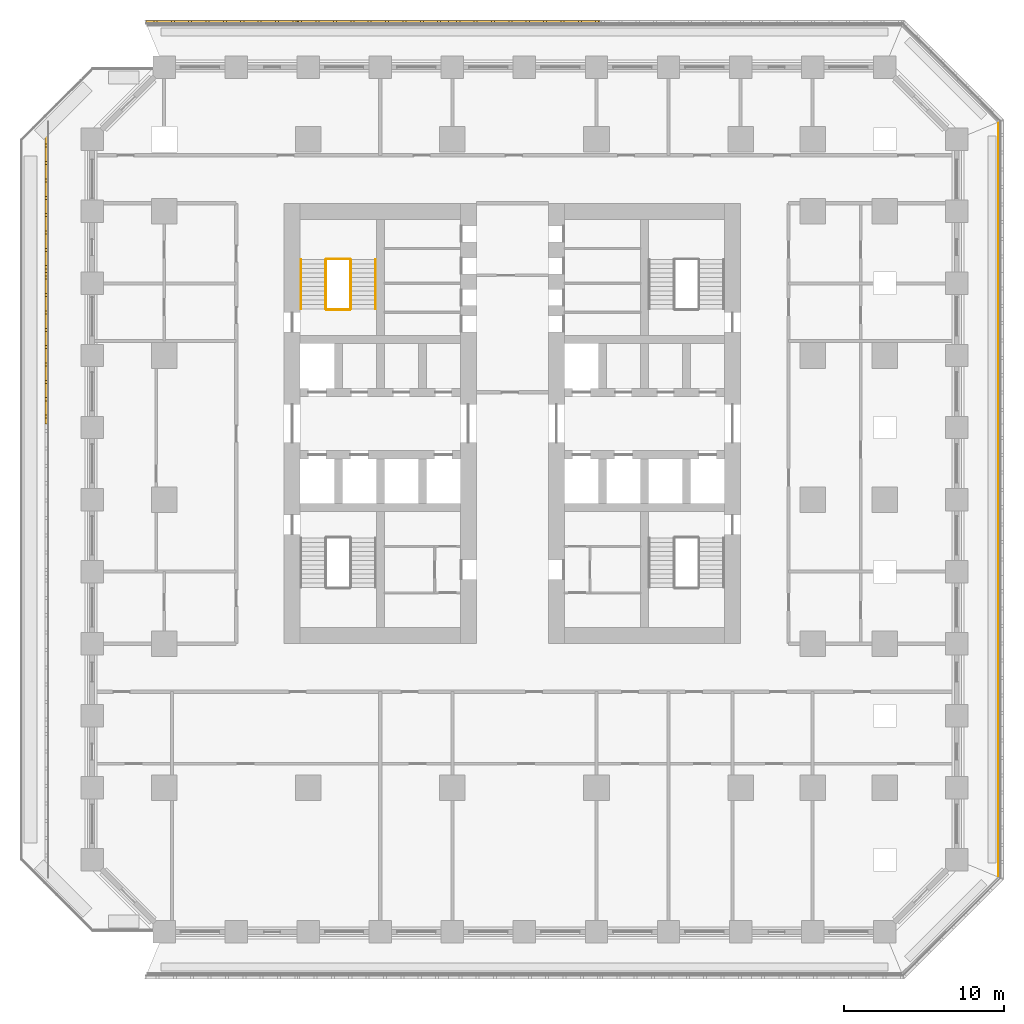
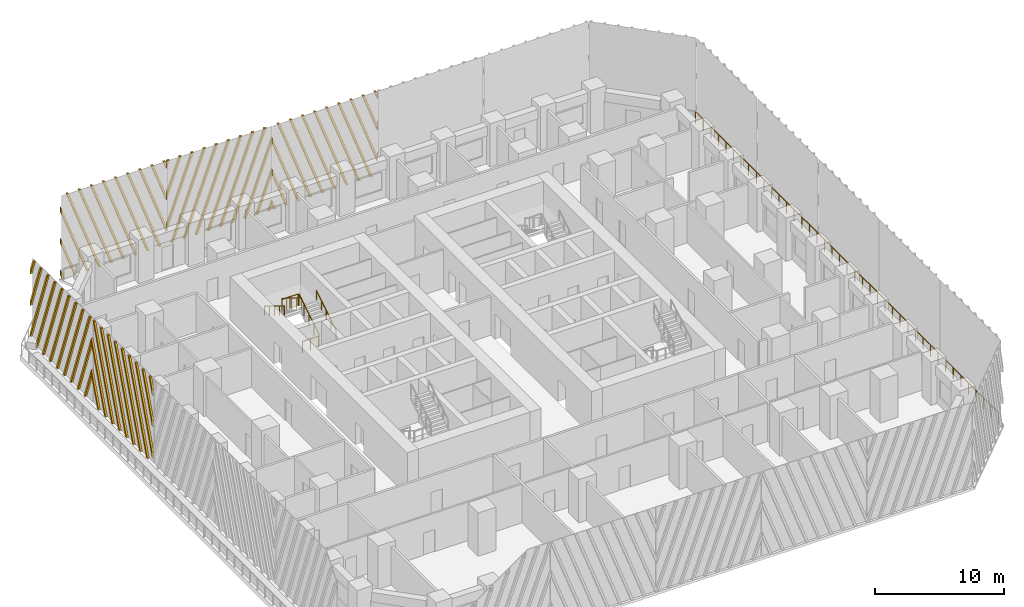
# One storey, part 12 of 15: 7 railings, 5 shading devices.
"""IFC4 building model written with IfcOpenShell, lengths in metres."""

from ifc_helpers import new_model, si_unit, direction, frame, origin, origin_2d, place, context, subcontext, project, spatial, polyline, circle, outline, extrude, source, transform, mapped, material, type_object, element, save


model = new_model("IFC4")

# Units and contexts
model_context = context("Model", 3, precision=1e-05, world=origin(), true_north=direction((0.0, 1.0)))
body_context = subcontext(model_context, "Body", "Model", "MODEL_VIEW")
ifc_project = project(units=[si_unit("LENGTHUNIT", "METRE"), si_unit("AREAUNIT", "SQUARE_METRE"), si_unit("VOLUMEUNIT", "CUBIC_METRE"), si_unit("PLANEANGLEUNIT", "RADIAN"), si_unit("MASSUNIT", "GRAM", prefix="KILO")], contexts=[model_context])

# Site, building, storey
site_placement = place(None, origin())
site = spatial("IfcSite", under=ifc_project, at=site_placement, CompositionType="ELEMENT")
building_placement = place(site_placement, origin())
building = spatial("IfcBuilding", under=site, at=building_placement, Name="Corbel Stack Research Tower", CompositionType="ELEMENT")
storey_placement = place(building_placement, frame((0.0, 0.0, 41.89990234375)))
storey = spatial("IfcBuildingStorey", under=building, at=storey_placement, Name="L09", CompositionType="ELEMENT", Elevation=41.89990234375)

# Railings
ifc_material_1 = material(Name="Steel S355", Category="steel")
railing_type_1 = type_object("IfcRailingType", Name="Stair guard 1100", PredefinedType="GUARDRAIL", material=ifc_material_1)
railing_1_placement = place(storey_placement, frame((-6.35009765625, 11.89990234375, 0.1708984375)))
element("IfcRailing", 1, at=railing_1_placement, inside=storey, type_object=railing_type_1, Name="L09 ST-W2 stair guard 1", PredefinedType="GUARDRAIL", context=body_context, shape_type="SweptSolid", body=[
    extrude(circle(Radius=0.02392578125, at=origin_2d()), frame((0.0, 0.0, 1.076171875), z_axis=(0.0, 0.853666305674, 0.52082035152), x_axis=(-1.0, 0.0, 0.0)), (0.0, 0.0, 1.0), 3.608154296875),
    extrude(circle(Radius=0.02099609375, at=origin_2d()), origin(), (0.0, 0.0, 1.0), 1.052001953125),
    extrude(circle(Radius=0.02099609375, at=origin_2d()), frame((0.0, 0.77001953125, 0.4697265625)), (0.0, 0.0, 1.0), 1.052001953125),
    extrude(circle(Radius=0.02099609375, at=origin_2d()), frame((0.0, 1.5400390625, 0.939453125)), (0.0, 0.0, 1.0), 1.052001953125),
    extrude(circle(Radius=0.02099609375, at=origin_2d()), frame((0.0, 2.31005859375, 1.409423828125)), (0.0, 0.0, 1.0), 1.052001953125),
    extrude(circle(Radius=0.02099609375, at=origin_2d()), frame((0.0, 3.080078125, 1.879150390625)), (0.0, 0.0, 1.0), 1.052001953125),
])
railing_2_placement = place(storey_placement, frame((-6.39990234375, 15.030029296875, 2.050048828125)))
element("IfcRailing", 2, at=railing_2_placement, inside=storey, type_object=railing_type_1, Name="L09 ST-W2 stair guard 2", PredefinedType="GUARDRAIL", context=body_context, shape_type="SweptSolid", body=[
    extrude(circle(Radius=0.02392578125, at=origin_2d()), frame((0.0, 0.0, 1.076171875), z_axis=(-1.0, 0.0, 0.0), x_axis=(0.0, -1.0, 0.0)), (0.0, 0.0, 1.0), 1.4501953125),
    extrude(circle(Radius=0.02099609375, at=origin_2d()), origin(), (0.0, 0.0, 1.0), 1.052001953125),
    extrude(circle(Radius=0.02099609375, at=origin_2d()), frame((-0.72509765625, 0.0, 0.0)), (0.0, 0.0, 1.0), 1.052001953125),
    extrude(circle(Radius=0.02099609375, at=origin_2d()), frame((-1.4501953125, 0.0, 0.0)), (0.0, 0.0, 1.0), 1.052001953125),
])
railing_3_placement = place(storey_placement, frame((-7.89990234375, 14.97998046875, 2.220947265625)))
element("IfcRailing", 3, at=railing_3_placement, inside=storey, type_object=railing_type_1, Name="L09 ST-W2 stair guard 3", PredefinedType="GUARDRAIL", context=body_context, shape_type="SweptSolid", body=[
    extrude(circle(Radius=0.02392578125, at=origin_2d()), frame((0.0, 0.0, 1.076171875), z_axis=(0.0, -0.853666305674, 0.52082035152), x_axis=(1.0, 0.0, 0.0)), (0.0, 0.0, 1.0), 3.608154296875),
    extrude(circle(Radius=0.02099609375, at=origin_2d()), origin(), (0.0, 0.0, 1.0), 1.052001953125),
    extrude(circle(Radius=0.02099609375, at=origin_2d()), frame((0.0, -0.77001953125, 0.4697265625)), (0.0, 0.0, 1.0), 1.052001953125),
    extrude(circle(Radius=0.02099609375, at=origin_2d()), frame((0.0, -1.5400390625, 0.939453125)), (0.0, 0.0, 1.0), 1.052001953125),
    extrude(circle(Radius=0.02099609375, at=origin_2d()), frame((0.0, -2.31005859375, 1.409423828125)), (0.0, 0.0, 1.0), 1.052001953125),
    extrude(circle(Radius=0.02099609375, at=origin_2d()), frame((0.0, -3.080078125, 1.879150390625)), (0.0, 0.0, 1.0), 1.052001953125),
])
railing_4_placement = place(storey_placement, frame((-6.39990234375, 11.85009765625, 0.0)))
element("IfcRailing", 4, at=railing_4_placement, inside=storey, type_object=railing_type_1, Name="L09 ST-W2 stair guard 4", PredefinedType="GUARDRAIL", context=body_context, shape_type="SweptSolid", body=[
    extrude(circle(Radius=0.02392578125, at=origin_2d()), frame((0.0, 0.0, 1.076171875), z_axis=(-1.0, 0.0, 0.0), x_axis=(0.0, -1.0, 0.0)), (0.0, 0.0, 1.0), 1.4501953125),
    extrude(circle(Radius=0.02099609375, at=origin_2d()), origin(), (0.0, 0.0, 1.0), 1.052001953125),
    extrude(circle(Radius=0.02099609375, at=origin_2d()), frame((-0.72509765625, 0.0, 0.0)), (0.0, 0.0, 1.0), 1.052001953125),
    extrude(circle(Radius=0.02099609375, at=origin_2d()), frame((-1.4501953125, 0.0, 0.0)), (0.0, 0.0, 1.0), 1.052001953125),
])
ifc_material_2 = material(Name="Steel S355", Category="steel")
railing_type_2 = type_object("IfcRailingType", Name="Stair handrail 900", PredefinedType="HANDRAIL", material=ifc_material_2)
railing_5_placement = place(storey_placement, frame((-4.800048828125, 11.89990234375, 0.1708984375)))
element("IfcRailing", 5, at=railing_5_placement, inside=storey, type_object=railing_type_2, Name="L09 ST-W2 stair handrail 1", PredefinedType="HANDRAIL", context=body_context, shape_type="SweptSolid", body=[
    extrude(circle(Radius=0.02392578125, at=origin_2d()), frame((0.0, 0.0, 0.8759765625), z_axis=(0.0, 0.853666305674, 0.52082035152), x_axis=(-1.0, 0.0, 0.0)), (0.0, 0.0, 1.0), 3.608154296875),
    extrude(circle(Radius=0.02099609375, at=origin_2d()), origin(), (0.0, 0.0, 1.0), 0.851806640625),
    extrude(circle(Radius=0.02099609375, at=origin_2d()), frame((0.0, 0.77001953125, 0.4697265625)), (0.0, 0.0, 1.0), 0.851806640625),
    extrude(circle(Radius=0.02099609375, at=origin_2d()), frame((0.0, 1.5400390625, 0.939453125)), (0.0, 0.0, 1.0), 0.851806640625),
    extrude(circle(Radius=0.02099609375, at=origin_2d()), frame((0.0, 2.31005859375, 1.409423828125)), (0.0, 0.0, 1.0), 0.851806640625),
    extrude(circle(Radius=0.02099609375, at=origin_2d()), frame((0.0, 3.080078125, 1.879150390625)), (0.0, 0.0, 1.0), 0.851806640625),
])
railing_6_placement = place(storey_placement, frame((-9.449951171875, 14.97998046875, 2.220947265625)))
element("IfcRailing", 6, at=railing_6_placement, inside=storey, type_object=railing_type_2, Name="L09 ST-W2 stair handrail 2", PredefinedType="HANDRAIL", context=body_context, shape_type="SweptSolid", body=[
    extrude(circle(Radius=0.02392578125, at=origin_2d()), frame((0.0, 0.0, 0.8759765625), z_axis=(0.0, -0.853666305674, 0.52082035152), x_axis=(1.0, 0.0, 0.0)), (0.0, 0.0, 1.0), 3.608154296875),
    extrude(circle(Radius=0.02099609375, at=origin_2d()), origin(), (0.0, 0.0, 1.0), 0.851806640625),
    extrude(circle(Radius=0.02099609375, at=origin_2d()), frame((0.0, -0.77001953125, 0.4697265625)), (0.0, 0.0, 1.0), 0.851806640625),
    extrude(circle(Radius=0.02099609375, at=origin_2d()), frame((0.0, -1.5400390625, 0.939453125)), (0.0, 0.0, 1.0), 0.851806640625),
    extrude(circle(Radius=0.02099609375, at=origin_2d()), frame((0.0, -2.31005859375, 1.409423828125)), (0.0, 0.0, 1.0), 0.851806640625),
    extrude(circle(Radius=0.02099609375, at=origin_2d()), frame((0.0, -3.080078125, 1.879150390625)), (0.0, 0.0, 1.0), 0.851806640625),
])
ifc_material_3 = material(Name="Powder-coated steel guard", Category="steel")
railing_type_3 = type_object("IfcRailingType", Name="Steel and glass guard 1100", PredefinedType="GUARDRAIL", material=ifc_material_3)
railing_7_placement = place(storey_placement, frame((34.10009765625, -23.50537109375, 0.0)))
element("IfcRailing", 7, at=railing_7_placement, inside=storey, type_object=railing_type_3, Name="Loggia guard L09 E", PredefinedType="GUARDRAIL", context=body_context, shape_type="SweptSolid", body=[
    extrude(circle(Radius=0.02392578125, at=origin_2d()), frame((0.0, 0.0, 1.076171875), z_axis=(0.0, 1.0, 0.0), x_axis=(-1.0, 0.0, 0.0)), (0.0, 0.0, 1.0), 47.0107421875),
    extrude(circle(Radius=0.02099609375, at=origin_2d()), origin(), (0.0, 0.0, 1.0), 1.052001953125),
    extrude(circle(Radius=0.02099609375, at=origin_2d()), frame((0.0, 1.17529296875, 0.0)), (0.0, 0.0, 1.0), 1.052001953125),
    extrude(circle(Radius=0.02099609375, at=origin_2d()), frame((0.0, 2.3505859375, 0.0)), (0.0, 0.0, 1.0), 1.052001953125),
    extrude(circle(Radius=0.02099609375, at=origin_2d()), frame((0.0, 3.52587890625, 0.0)), (0.0, 0.0, 1.0), 1.052001953125),
    extrude(circle(Radius=0.02099609375, at=origin_2d()), frame((0.0, 4.701171875, 0.0)), (0.0, 0.0, 1.0), 1.052001953125),
    extrude(circle(Radius=0.02099609375, at=origin_2d()), frame((0.0, 5.87646484375, 0.0)), (0.0, 0.0, 1.0), 1.052001953125),
    extrude(circle(Radius=0.02099609375, at=origin_2d()), frame((0.0, 7.051513671875, 0.0)), (0.0, 0.0, 1.0), 1.052001953125),
    extrude(circle(Radius=0.02099609375, at=origin_2d()), frame((0.0, 8.226806640625, 0.0)), (0.0, 0.0, 1.0), 1.052001953125),
    extrude(circle(Radius=0.02099609375, at=origin_2d()), frame((0.0, 9.402099609375, 0.0)), (0.0, 0.0, 1.0), 1.052001953125),
    extrude(circle(Radius=0.02099609375, at=origin_2d()), frame((0.0, 10.577392578125, 0.0)), (0.0, 0.0, 1.0), 1.052001953125),
    extrude(circle(Radius=0.02099609375, at=origin_2d()), frame((0.0, 11.752685546875, 0.0)), (0.0, 0.0, 1.0), 1.052001953125),
    extrude(circle(Radius=0.02099609375, at=origin_2d()), frame((0.0, 12.927978515625, 0.0)), (0.0, 0.0, 1.0), 1.052001953125),
    extrude(circle(Radius=0.02099609375, at=origin_2d()), frame((0.0, 14.103271484375, 0.0)), (0.0, 0.0, 1.0), 1.052001953125),
    extrude(circle(Radius=0.02099609375, at=origin_2d()), frame((0.0, 15.278564453125, 0.0)), (0.0, 0.0, 1.0), 1.052001953125),
    extrude(circle(Radius=0.02099609375, at=origin_2d()), frame((0.0, 16.453857421875, 0.0)), (0.0, 0.0, 1.0), 1.052001953125),
    extrude(circle(Radius=0.02099609375, at=origin_2d()), frame((0.0, 17.62890625, 0.0)), (0.0, 0.0, 1.0), 1.052001953125),
    extrude(circle(Radius=0.02099609375, at=origin_2d()), frame((0.0, 18.80419921875, 0.0)), (0.0, 0.0, 1.0), 1.052001953125),
    extrude(circle(Radius=0.02099609375, at=origin_2d()), frame((0.0, 19.9794921875, 0.0)), (0.0, 0.0, 1.0), 1.052001953125),
    extrude(circle(Radius=0.02099609375, at=origin_2d()), frame((0.0, 21.15478515625, 0.0)), (0.0, 0.0, 1.0), 1.052001953125),
    extrude(circle(Radius=0.02099609375, at=origin_2d()), frame((0.0, 22.330078125, 0.0)), (0.0, 0.0, 1.0), 1.052001953125),
    extrude(circle(Radius=0.02099609375, at=origin_2d()), frame((0.0, 23.50537109375, 0.0)), (0.0, 0.0, 1.0), 1.052001953125),
    extrude(circle(Radius=0.02099609375, at=origin_2d()), frame((0.0, 24.6806640625, 0.0)), (0.0, 0.0, 1.0), 1.052001953125),
    extrude(circle(Radius=0.02099609375, at=origin_2d()), frame((0.0, 25.85595703125, 0.0)), (0.0, 0.0, 1.0), 1.052001953125),
    extrude(circle(Radius=0.02099609375, at=origin_2d()), frame((0.0, 27.03125, 0.0)), (0.0, 0.0, 1.0), 1.052001953125),
    extrude(circle(Radius=0.02099609375, at=origin_2d()), frame((0.0, 28.20654296875, 0.0)), (0.0, 0.0, 1.0), 1.052001953125),
    extrude(circle(Radius=0.02099609375, at=origin_2d()), frame((0.0, 29.3818359375, 0.0)), (0.0, 0.0, 1.0), 1.052001953125),
    extrude(circle(Radius=0.02099609375, at=origin_2d()), frame((0.0, 30.556884765625, 0.0)), (0.0, 0.0, 1.0), 1.052001953125),
    extrude(circle(Radius=0.02099609375, at=origin_2d()), frame((0.0, 31.732177734375, 0.0)), (0.0, 0.0, 1.0), 1.052001953125),
    extrude(circle(Radius=0.02099609375, at=origin_2d()), frame((0.0, 32.907470703125, 0.0)), (0.0, 0.0, 1.0), 1.052001953125),
    extrude(circle(Radius=0.02099609375, at=origin_2d()), frame((0.0, 34.082763671875, 0.0)), (0.0, 0.0, 1.0), 1.052001953125),
    extrude(circle(Radius=0.02099609375, at=origin_2d()), frame((0.0, 35.258056640625, 0.0)), (0.0, 0.0, 1.0), 1.052001953125),
    extrude(circle(Radius=0.02099609375, at=origin_2d()), frame((0.0, 36.433349609375, 0.0)), (0.0, 0.0, 1.0), 1.052001953125),
    extrude(circle(Radius=0.02099609375, at=origin_2d()), frame((0.0, 37.608642578125, 0.0)), (0.0, 0.0, 1.0), 1.052001953125),
    extrude(circle(Radius=0.02099609375, at=origin_2d()), frame((0.0, 38.783935546875, 0.0)), (0.0, 0.0, 1.0), 1.052001953125),
    extrude(circle(Radius=0.02099609375, at=origin_2d()), frame((0.0, 39.959228515625, 0.0)), (0.0, 0.0, 1.0), 1.052001953125),
    extrude(circle(Radius=0.02099609375, at=origin_2d()), frame((0.0, 41.13427734375, 0.0)), (0.0, 0.0, 1.0), 1.052001953125),
    extrude(circle(Radius=0.02099609375, at=origin_2d()), frame((0.0, 42.3095703125, 0.0)), (0.0, 0.0, 1.0), 1.052001953125),
    extrude(circle(Radius=0.02099609375, at=origin_2d()), frame((0.0, 43.48486328125, 0.0)), (0.0, 0.0, 1.0), 1.052001953125),
    extrude(circle(Radius=0.02099609375, at=origin_2d()), frame((0.0, 44.66015625, 0.0)), (0.0, 0.0, 1.0), 1.052001953125),
    extrude(circle(Radius=0.02099609375, at=origin_2d()), frame((0.0, 45.83544921875, 0.0)), (0.0, 0.0, 1.0), 1.052001953125),
    extrude(circle(Radius=0.02099609375, at=origin_2d()), frame((0.0, 47.0107421875, 0.0)), (0.0, 0.0, 1.0), 1.052001953125),
])

# Shading devices
ifc_material_4 = material(Name="Precast terracotta", Category="masonry")
shading_device_type = type_object("IfcShadingDeviceType", Name="Terracotta screen panel", PredefinedType="USERDEFINED", material=ifc_material_4)
shared_shape_1 = source(origin(), body_context, "Body", "SweptSolid", [
    extrude(outline(polyline([(0.27685546875, 7.949951171875), (0.0869140625, 7.949951171875), (0.0, 7.711181640625), (0.0, 7.189208984375), (0.27685546875, 7.949951171875)])), frame((0.0, 0.0, 0.0), z_axis=(0.0, -1.0, 0.0), x_axis=(1.0, 0.0, 0.0)), (0.0, 0.0, 1.0), 0.179931640625),
    extrude(outline(polyline([(1.361572265625, 7.949951171875), (1.171630859375, 7.949951171875), (0.0, 4.731201171875), (0.0, 4.208984375), (1.361572265625, 7.949951171875)])), frame((0.0, 0.0, 0.0), z_axis=(0.0, -1.0, 0.0), x_axis=(1.0, 0.0, 0.0)), (0.0, 0.0, 1.0), 0.179931640625),
    extrude(outline(polyline([(2.4462890625, 7.949951171875), (2.256103515625, 7.949951171875), (0.0, 1.751220703125), (0.0, 1.22900390625), (2.4462890625, 7.949951171875)])), frame((0.0, 0.0, 0.0), z_axis=(0.0, -1.0, 0.0), x_axis=(1.0, 0.0, 0.0)), (0.0, 0.0, 1.0), 0.179931640625),
    extrude(outline(polyline([(0.63720703125, 0.0), (3.531005859375, 7.949951171875), (3.3408203125, 7.949951171875), (0.447265625, 0.0), (0.63720703125, 0.0)])), frame((0.0, 0.0, 0.0), z_axis=(0.0, -1.0, 0.0), x_axis=(1.0, 0.0, 0.0)), (0.0, 0.0, 1.0), 0.179931640625),
    extrude(outline(polyline([(1.721923828125, 0.0), (4.615478515625, 7.949951171875), (4.425537109375, 7.949951171875), (1.531982421875, 0.0), (1.721923828125, 0.0)])), frame((0.0, 0.0, 0.0), z_axis=(0.0, -1.0, 0.0), x_axis=(1.0, 0.0, 0.0)), (0.0, 0.0, 1.0), 0.179931640625),
    extrude(outline(polyline([(2.806640625, 0.0), (5.7001953125, 7.949951171875), (5.51025390625, 7.949951171875), (2.61669921875, 0.0), (2.806640625, 0.0)])), frame((0.0, 0.0, 0.0), z_axis=(0.0, -1.0, 0.0), x_axis=(1.0, 0.0, 0.0)), (0.0, 0.0, 1.0), 0.179931640625),
    extrude(outline(polyline([(3.891357421875, 0.0), (6.784912109375, 7.949951171875), (6.594970703125, 7.949951171875), (3.701416015625, 0.0), (3.891357421875, 0.0)])), frame((0.0, 0.0, 0.0), z_axis=(0.0, -1.0, 0.0), x_axis=(1.0, 0.0, 0.0)), (0.0, 0.0, 1.0), 0.179931640625),
    extrude(outline(polyline([(4.97607421875, 0.0), (7.86962890625, 7.949951171875), (7.6796875, 7.949951171875), (4.785888671875, 0.0), (4.97607421875, 0.0)])), frame((0.0, 0.0, 0.0), z_axis=(0.0, -1.0, 0.0), x_axis=(1.0, 0.0, 0.0)), (0.0, 0.0, 1.0), 0.179931640625),
    extrude(outline(polyline([(6.060791015625, 0.0), (8.9541015625, 7.949951171875), (8.76416015625, 7.949951171875), (5.87060546875, 0.0), (6.060791015625, 0.0)])), frame((0.0, 0.0, 0.0), z_axis=(0.0, -1.0, 0.0), x_axis=(1.0, 0.0, 0.0)), (0.0, 0.0, 1.0), 0.179931640625),
    extrude(outline(polyline([(7.145263671875, 0.0), (9.45556640625, 6.347412109375), (9.45556640625, 6.869384765625), (6.955322265625, 0.0), (7.145263671875, 0.0)])), frame((0.0, 0.0, 0.0), z_axis=(0.0, -1.0, 0.0), x_axis=(1.0, 0.0, 0.0)), (0.0, 0.0, 1.0), 0.179931640625),
    extrude(outline(polyline([(8.22998046875, 0.0), (9.45556640625, 3.367431640625), (9.45556640625, 3.889404296875), (8.0400390625, 0.0), (8.22998046875, 0.0)])), frame((0.0, 0.0, 0.0), z_axis=(0.0, -1.0, 0.0), x_axis=(1.0, 0.0, 0.0)), (0.0, 0.0, 1.0), 0.179931640625),
    extrude(outline(polyline([(9.314697265625, 0.0), (9.45556640625, 0.38720703125), (9.45556640625, 0.9091796875), (9.124755859375, 0.0), (9.314697265625, 0.0)])), frame((0.0, 0.0, 0.0), z_axis=(0.0, -1.0, 0.0), x_axis=(1.0, 0.0, 0.0)), (0.0, 0.0, 1.0), 0.179931640625),
])
for number, where, z_axis, x_axis, name in (
    (8, (9.227783203125, 29.75, 0.0), (0.0, 0.0, 1.0), (-1.0, 0.0, 0.0), "Terracotta screen L09 N3"),
    (9, (-9.68359375, 29.75, 0.0), (0.0, 0.0, 1.0), (-1.0, 0.0, 0.0), "Terracotta screen L09 N5"),
):
    element("IfcShadingDevice", number, at=place(storey_placement, frame(where, z_axis=z_axis, x_axis=x_axis)), inside=storey, type_object=shading_device_type, Name=name, ObjectType="SCREEN", PredefinedType="USERDEFINED", context=body_context, shape_type="MappedRepresentation", body=[
        mapped(shared_shape_1, transform((0.0, 0.0, 0.0))),
    ])
shared_shape_2 = source(origin(), body_context, "Body", "SweptSolid", [
    extrude(outline(polyline([(0.3310546875, 0.0), (0.0, 0.9091796875), (0.0, 0.38720703125), (0.14111328125, 0.0), (0.3310546875, 0.0)])), frame((0.0, 0.0, 0.0), z_axis=(0.0, -1.0, 0.0), x_axis=(1.0, 0.0, 0.0)), (0.0, 0.0, 1.0), 0.179931640625),
    extrude(outline(polyline([(1.41552734375, 0.0), (0.0, 3.889404296875), (0.0, 3.367431640625), (1.2255859375, 0.0), (1.41552734375, 0.0)])), frame((0.0, 0.0, 0.0), z_axis=(0.0, -1.0, 0.0), x_axis=(1.0, 0.0, 0.0)), (0.0, 0.0, 1.0), 0.179931640625),
    extrude(outline(polyline([(2.500244140625, 0.0), (0.0, 6.869384765625), (0.0, 6.347412109375), (2.310302734375, 0.0), (2.500244140625, 0.0)])), frame((0.0, 0.0, 0.0), z_axis=(0.0, -1.0, 0.0), x_axis=(1.0, 0.0, 0.0)), (0.0, 0.0, 1.0), 0.179931640625),
    extrude(outline(polyline([(3.5849609375, 0.0), (0.69140625, 7.949951171875), (0.50146484375, 7.949951171875), (3.39501953125, 0.0), (3.5849609375, 0.0)])), frame((0.0, 0.0, 0.0), z_axis=(0.0, -1.0, 0.0), x_axis=(1.0, 0.0, 0.0)), (0.0, 0.0, 1.0), 0.179931640625),
    extrude(outline(polyline([(4.669677734375, 0.0), (1.776123046875, 7.949951171875), (1.586181640625, 7.949951171875), (4.4794921875, 0.0), (4.669677734375, 0.0)])), frame((0.0, 0.0, 0.0), z_axis=(0.0, -1.0, 0.0), x_axis=(1.0, 0.0, 0.0)), (0.0, 0.0, 1.0), 0.179931640625),
    extrude(outline(polyline([(5.75439453125, 0.0), (2.860595703125, 7.949951171875), (2.670654296875, 7.949951171875), (5.564208984375, 0.0), (5.75439453125, 0.0)])), frame((0.0, 0.0, 0.0), z_axis=(0.0, -1.0, 0.0), x_axis=(1.0, 0.0, 0.0)), (0.0, 0.0, 1.0), 0.179931640625),
    extrude(outline(polyline([(6.839111328125, 0.0), (3.9453125, 7.949951171875), (3.75537109375, 7.949951171875), (6.64892578125, 0.0), (6.839111328125, 0.0)])), frame((0.0, 0.0, 0.0), z_axis=(0.0, -1.0, 0.0), x_axis=(1.0, 0.0, 0.0)), (0.0, 0.0, 1.0), 0.179931640625),
    extrude(outline(polyline([(7.923583984375, 0.0), (5.030029296875, 7.949951171875), (4.840087890625, 7.949951171875), (7.733642578125, 0.0), (7.923583984375, 0.0)])), frame((0.0, 0.0, 0.0), z_axis=(0.0, -1.0, 0.0), x_axis=(1.0, 0.0, 0.0)), (0.0, 0.0, 1.0), 0.179931640625),
    extrude(outline(polyline([(9.00830078125, 0.0), (6.11474609375, 7.949951171875), (5.9248046875, 7.949951171875), (8.818359375, 0.0), (9.00830078125, 0.0)])), frame((0.0, 0.0, 0.0), z_axis=(0.0, -1.0, 0.0), x_axis=(1.0, 0.0, 0.0)), (0.0, 0.0, 1.0), 0.179931640625),
    extrude(outline(polyline([(7.199462890625, 7.949951171875), (7.009521484375, 7.949951171875), (9.45556640625, 1.22900390625), (9.45556640625, 1.751220703125), (7.199462890625, 7.949951171875)])), frame((0.0, 0.0, 0.0), z_axis=(0.0, -1.0, 0.0), x_axis=(1.0, 0.0, 0.0)), (0.0, 0.0, 1.0), 0.179931640625),
    extrude(outline(polyline([(8.2841796875, 7.949951171875), (8.093994140625, 7.949951171875), (9.45556640625, 4.208984375), (9.45556640625, 4.731201171875), (8.2841796875, 7.949951171875)])), frame((0.0, 0.0, 0.0), z_axis=(0.0, -1.0, 0.0), x_axis=(1.0, 0.0, 0.0)), (0.0, 0.0, 1.0), 0.179931640625),
    extrude(outline(polyline([(9.36865234375, 7.949951171875), (9.1787109375, 7.949951171875), (9.45556640625, 7.189208984375), (9.45556640625, 7.711181640625), (9.36865234375, 7.949951171875)])), frame((0.0, 0.0, 0.0), z_axis=(0.0, -1.0, 0.0), x_axis=(1.0, 0.0, 0.0)), (0.0, 0.0, 1.0), 0.179931640625),
])
shading_device_1_placement = place(storey_placement, frame((-0.227783203125, 29.75, 0.0), z_axis=(0.0, 0.0, 1.0), x_axis=(-1.0, 0.0, 0.0)))
element("IfcShadingDevice", 10, at=shading_device_1_placement, inside=storey, type_object=shading_device_type, Name="Terracotta screen L09 N4", ObjectType="SCREEN", PredefinedType="USERDEFINED", context=body_context, shape_type="MappedRepresentation", body=[
    mapped(shared_shape_2, transform((0.0, 0.0, 0.0))),
])
shared_shape_3 = source(origin(), body_context, "Body", "SweptSolid", [
    extrude(outline(polyline([(0.548095703125, 7.949951171875), (0.358154296875, 7.949951171875), (0.0, 6.96630859375), (0.0, 6.444091796875), (0.548095703125, 7.949951171875)])), frame((0.0, 0.0, 0.0), z_axis=(0.0, -1.0, 0.0), x_axis=(1.0, 0.0, 0.0)), (0.0, 0.0, 1.0), 0.179931640625),
    extrude(outline(polyline([(1.6328125, 7.949951171875), (1.442626953125, 7.949951171875), (0.0, 3.986083984375), (0.0, 3.464111328125), (1.6328125, 7.949951171875)])), frame((0.0, 0.0, 0.0), z_axis=(0.0, -1.0, 0.0), x_axis=(1.0, 0.0, 0.0)), (0.0, 0.0, 1.0), 0.179931640625),
    extrude(outline(polyline([(2.71728515625, 7.949951171875), (2.52734375, 7.949951171875), (0.0, 1.006103515625), (0.0, 0.48388671875), (2.71728515625, 7.949951171875)])), frame((0.0, 0.0, 0.0), z_axis=(0.0, -1.0, 0.0), x_axis=(1.0, 0.0, 0.0)), (0.0, 0.0, 1.0), 0.179931640625),
    extrude(outline(polyline([(0.908447265625, 0.0), (3.802001953125, 7.949951171875), (3.612060546875, 7.949951171875), (0.718505859375, 0.0), (0.908447265625, 0.0)])), frame((0.0, 0.0, 0.0), z_axis=(0.0, -1.0, 0.0), x_axis=(1.0, 0.0, 0.0)), (0.0, 0.0, 1.0), 0.179931640625),
    extrude(outline(polyline([(1.9931640625, 0.0), (4.88671875, 7.949951171875), (4.69677734375, 7.949951171875), (1.80322265625, 0.0), (1.9931640625, 0.0)])), frame((0.0, 0.0, 0.0), z_axis=(0.0, -1.0, 0.0), x_axis=(1.0, 0.0, 0.0)), (0.0, 0.0, 1.0), 0.179931640625),
    extrude(outline(polyline([(3.077880859375, 0.0), (5.971435546875, 7.949951171875), (5.781494140625, 7.949951171875), (2.8876953125, 0.0), (3.077880859375, 0.0)])), frame((0.0, 0.0, 0.0), z_axis=(0.0, -1.0, 0.0), x_axis=(1.0, 0.0, 0.0)), (0.0, 0.0, 1.0), 0.179931640625),
    extrude(outline(polyline([(4.16259765625, 0.0), (7.05615234375, 7.949951171875), (6.8662109375, 7.949951171875), (3.972412109375, 0.0), (4.16259765625, 0.0)])), frame((0.0, 0.0, 0.0), z_axis=(0.0, -1.0, 0.0), x_axis=(1.0, 0.0, 0.0)), (0.0, 0.0, 1.0), 0.179931640625),
    extrude(outline(polyline([(5.247314453125, 0.0), (8.140625, 7.949951171875), (7.95068359375, 7.949951171875), (5.05712890625, 0.0), (5.247314453125, 0.0)])), frame((0.0, 0.0, 0.0), z_axis=(0.0, -1.0, 0.0), x_axis=(1.0, 0.0, 0.0)), (0.0, 0.0, 1.0), 0.179931640625),
    extrude(outline(polyline([(6.331787109375, 0.0), (9.225341796875, 7.949951171875), (9.035400390625, 7.949951171875), (6.141845703125, 0.0), (6.331787109375, 0.0)])), frame((0.0, 0.0, 0.0), z_axis=(0.0, -1.0, 0.0), x_axis=(1.0, 0.0, 0.0)), (0.0, 0.0, 1.0), 0.179931640625),
    extrude(outline(polyline([(7.41650390625, 0.0), (9.45556640625, 5.6025390625), (9.45556640625, 6.12451171875), (7.2265625, 0.0), (7.41650390625, 0.0)])), frame((0.0, 0.0, 0.0), z_axis=(0.0, -1.0, 0.0), x_axis=(1.0, 0.0, 0.0)), (0.0, 0.0, 1.0), 0.179931640625),
    extrude(outline(polyline([(8.501220703125, 0.0), (9.45556640625, 2.622314453125), (9.45556640625, 3.144287109375), (8.311279296875, 0.0), (8.501220703125, 0.0)])), frame((0.0, 0.0, 0.0), z_axis=(0.0, -1.0, 0.0), x_axis=(1.0, 0.0, 0.0)), (0.0, 0.0, 1.0), 0.179931640625),
])
shading_device_2_placement = place(storey_placement, frame((-25.25, 23.63916015625, 0.0), z_axis=(0.0, 0.0, 1.0), x_axis=(0.0, -1.0, 0.0)))
element("IfcShadingDevice", 11, at=shading_device_2_placement, inside=storey, type_object=shading_device_type, Name="Terracotta screen L09 W1", ObjectType="SCREEN", PredefinedType="USERDEFINED", context=body_context, shape_type="MappedRepresentation", body=[
    mapped(shared_shape_3, transform((0.0, 0.0, 0.0))),
])
shared_shape_4 = source(origin(), body_context, "Body", "SweptSolid", [
    extrude(outline(polyline([(1.14453125, 0.0), (0.0, 3.144287109375), (0.0, 2.622314453125), (0.95458984375, 0.0), (1.14453125, 0.0)])), frame((0.0, 0.0, 0.0), z_axis=(0.0, -1.0, 0.0), x_axis=(1.0, 0.0, 0.0)), (0.0, 0.0, 1.0), 0.179931640625),
    extrude(outline(polyline([(2.22900390625, 0.0), (0.0, 6.12451171875), (0.0, 5.6025390625), (2.0390625, 0.0), (2.22900390625, 0.0)])), frame((0.0, 0.0, 0.0), z_axis=(0.0, -1.0, 0.0), x_axis=(1.0, 0.0, 0.0)), (0.0, 0.0, 1.0), 0.179931640625),
    extrude(outline(polyline([(3.313720703125, 0.0), (0.420166015625, 7.949951171875), (0.230224609375, 7.949951171875), (3.123779296875, 0.0), (3.313720703125, 0.0)])), frame((0.0, 0.0, 0.0), z_axis=(0.0, -1.0, 0.0), x_axis=(1.0, 0.0, 0.0)), (0.0, 0.0, 1.0), 0.179931640625),
    extrude(outline(polyline([(4.3984375, 0.0), (1.5048828125, 7.949951171875), (1.31494140625, 7.949951171875), (4.20849609375, 0.0), (4.3984375, 0.0)])), frame((0.0, 0.0, 0.0), z_axis=(0.0, -1.0, 0.0), x_axis=(1.0, 0.0, 0.0)), (0.0, 0.0, 1.0), 0.179931640625),
    extrude(outline(polyline([(5.483154296875, 0.0), (2.589599609375, 7.949951171875), (2.399658203125, 7.949951171875), (5.293212890625, 0.0), (5.483154296875, 0.0)])), frame((0.0, 0.0, 0.0), z_axis=(0.0, -1.0, 0.0), x_axis=(1.0, 0.0, 0.0)), (0.0, 0.0, 1.0), 0.179931640625),
    extrude(outline(polyline([(6.56787109375, 0.0), (3.67431640625, 7.949951171875), (3.484130859375, 7.949951171875), (6.377685546875, 0.0), (6.56787109375, 0.0)])), frame((0.0, 0.0, 0.0), z_axis=(0.0, -1.0, 0.0), x_axis=(1.0, 0.0, 0.0)), (0.0, 0.0, 1.0), 0.179931640625),
    extrude(outline(polyline([(7.652587890625, 0.0), (4.7587890625, 7.949951171875), (4.56884765625, 7.949951171875), (7.46240234375, 0.0), (7.652587890625, 0.0)])), frame((0.0, 0.0, 0.0), z_axis=(0.0, -1.0, 0.0), x_axis=(1.0, 0.0, 0.0)), (0.0, 0.0, 1.0), 0.179931640625),
    extrude(outline(polyline([(8.737060546875, 0.0), (5.843505859375, 7.949951171875), (5.653564453125, 7.949951171875), (8.547119140625, 0.0), (8.737060546875, 0.0)])), frame((0.0, 0.0, 0.0), z_axis=(0.0, -1.0, 0.0), x_axis=(1.0, 0.0, 0.0)), (0.0, 0.0, 1.0), 0.179931640625),
    extrude(outline(polyline([(6.92822265625, 7.949951171875), (6.73828125, 7.949951171875), (9.45556640625, 0.48388671875), (9.45556640625, 1.006103515625), (6.92822265625, 7.949951171875)])), frame((0.0, 0.0, 0.0), z_axis=(0.0, -1.0, 0.0), x_axis=(1.0, 0.0, 0.0)), (0.0, 0.0, 1.0), 0.179931640625),
    extrude(outline(polyline([(8.012939453125, 7.949951171875), (7.822998046875, 7.949951171875), (9.45556640625, 3.464111328125), (9.45556640625, 3.986083984375), (8.012939453125, 7.949951171875)])), frame((0.0, 0.0, 0.0), z_axis=(0.0, -1.0, 0.0), x_axis=(1.0, 0.0, 0.0)), (0.0, 0.0, 1.0), 0.179931640625),
    extrude(outline(polyline([(9.09765625, 7.949951171875), (8.90771484375, 7.949951171875), (9.45556640625, 6.444091796875), (9.45556640625, 6.96630859375), (9.09765625, 7.949951171875)])), frame((0.0, 0.0, 0.0), z_axis=(0.0, -1.0, 0.0), x_axis=(1.0, 0.0, 0.0)), (0.0, 0.0, 1.0), 0.179931640625),
])
shading_device_3_placement = place(storey_placement, frame((-25.25, 14.18359375, 0.0), z_axis=(0.0, 0.0, 1.0), x_axis=(0.0, -1.0, 0.0)))
element("IfcShadingDevice", 12, at=shading_device_3_placement, inside=storey, type_object=shading_device_type, Name="Terracotta screen L09 W2", ObjectType="SCREEN", PredefinedType="USERDEFINED", context=body_context, shape_type="MappedRepresentation", body=[
    mapped(shared_shape_4, transform((0.0, 0.0, 0.0))),
])

save(model, "model.ifc")
